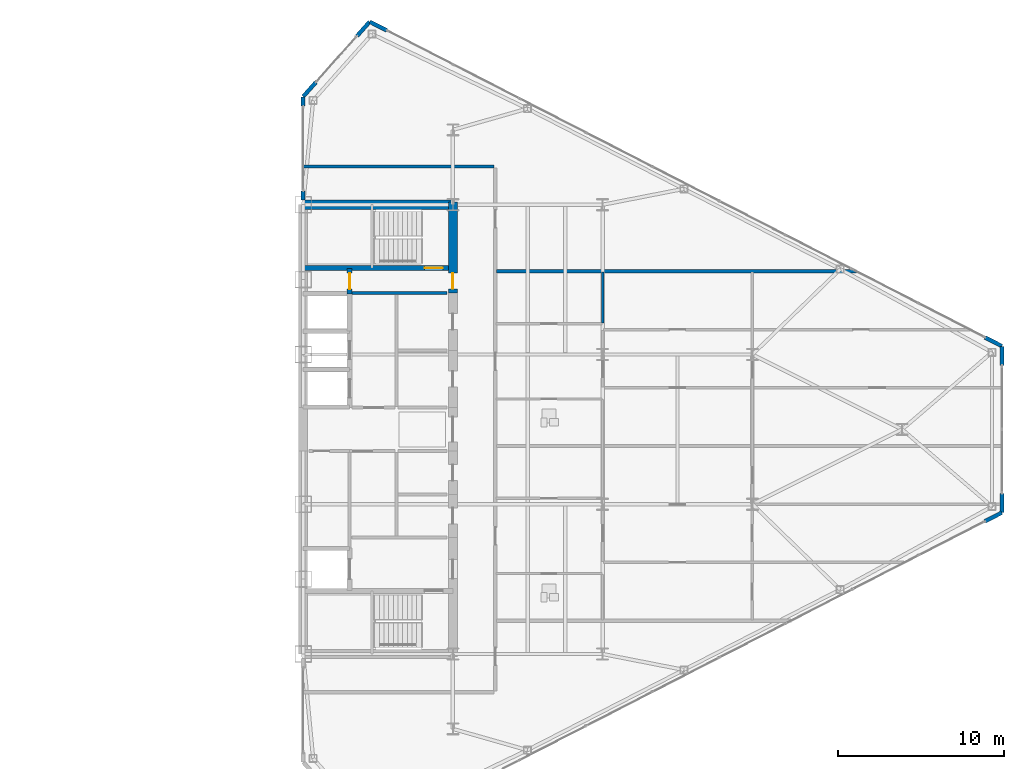
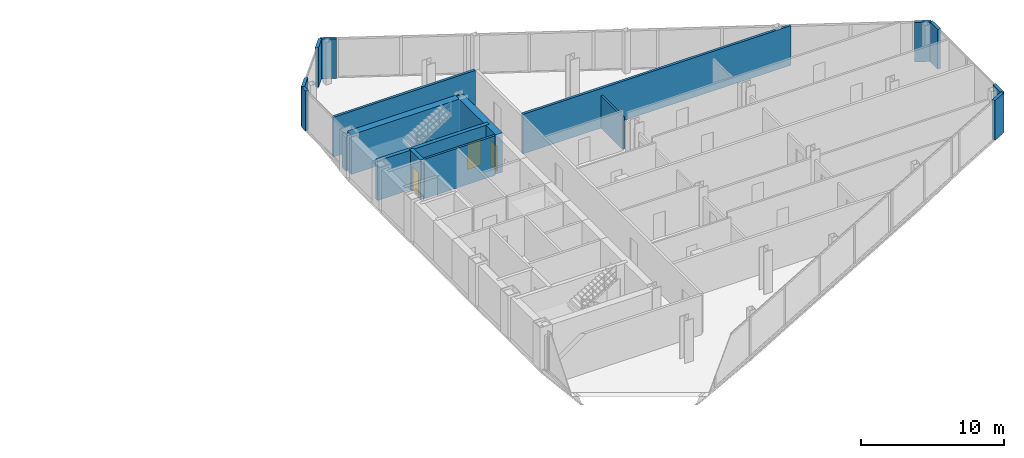
# One storey, part 20 of 23: 17 walls, 3 doors, 3 openings.
"""IFC4 building model written with IfcOpenShell, lengths in metres."""

from ifc_helpers import new_model, si_unit, direction, frame, frame_2d, origin, place, context, subcontext, project, spatial, rectangle, extrude, source, transform, mapped, material, layer, layer_set, type_object, type_shapes, element, fill, save


model = new_model("IFC4")

# Units and contexts
model_context = context("Model", 3, precision=1e-05, world=origin(), true_north=direction((0.0, 1.0)))
body_context = subcontext(model_context, "Body", "Model", "MODEL_VIEW")
ifc_project = project(units=[si_unit("LENGTHUNIT", "METRE"), si_unit("AREAUNIT", "SQUARE_METRE"), si_unit("VOLUMEUNIT", "CUBIC_METRE"), si_unit("PLANEANGLEUNIT", "RADIAN"), si_unit("MASSUNIT", "GRAM", prefix="KILO")], contexts=[model_context])

# Site, building, storey
site_placement = place(None, origin())
site = spatial("IfcSite", under=ifc_project, at=site_placement, CompositionType="ELEMENT")
building_placement = place(site_placement, origin())
building = spatial("IfcBuilding", under=site, at=building_placement, Name="Seokmaru Belvedere", CompositionType="ELEMENT")
storey_placement = place(building_placement, frame((0.0, 0.0, 147.60009765625)))
storey = spatial("IfcBuildingStorey", under=building, at=storey_placement, Name="L39", CompositionType="ELEMENT", Elevation=147.60009765625)

# Walls
ifc_material_1 = material(Name="Fire-Rated Gypsum Shaftwall")
ifc_layer_1 = layer(ifc_material_1, 0.14990234375)
ifc_layer_set_1 = layer_set([ifc_layer_1], Name="Fire-Rated Gypsum Shaftwall")
wall_type_1 = type_object("IfcWallType", Name="Apartment Fire-Acoustic Room Partition 150", PredefinedType="PARTITIONING", material=ifc_layer_set_1)
wall_1_placement = place(storey_placement, frame((45.5, 6.402099609375, 0.0), z_axis=(0.0, 0.0, 1.0), x_axis=(0.0, 1.0, 0.0)))
element("IfcWall", 1, at=wall_1_placement, inside=storey, type_object=wall_type_1, Name="L39 Interior Partition 048", PredefinedType="PARTITIONING", context=body_context, shape_type="SweptSolid", body=[
    extrude(rectangle(XDim=3.0478515625, YDim=0.14990234375, at=frame_2d((1.52392578125, 0.0))), origin(), (0.0, 0.0, 1.0), 2.77978515625),
])
ifc_layer_2 = layer(ifc_material_1, 0.179931640625)
ifc_layer_set_2 = layer_set([ifc_layer_2], Name="Fire-Rated Gypsum Shaftwall")
wall_type_2 = type_object("IfcWallType", Name="Core Service Fire Partition 180", PredefinedType="PARTITIONING", material=ifc_layer_set_2)
wall_2_placement = place(storey_placement, frame((30.449951171875, 8.199951171875, 0.0), z_axis=(0.0, 0.0, 1.0), x_axis=(1.0, 0.0, 0.0)))
element("IfcWall", 2, at=wall_2_placement, inside=storey, type_object=wall_type_2, Name="L39 East Smokeproof Vestibule Partition", PredefinedType="PARTITIONING", context=body_context, shape_type="SweptSolid", body=[
    extrude(rectangle(XDim=5.699951171875, YDim=0.179931640625, at=frame_2d((2.85009765625, 0.0))), origin(), (0.0, 0.0, 1.0), 3.3798828125),
])
ifc_layer_3 = layer(ifc_material_1, 0.199951171875)
ifc_layer_set_3 = layer_set([ifc_layer_3], Name="Fire-Rated Gypsum Shaftwall")
wall_type_3 = type_object("IfcWallType", Name="Inter-Tenancy Fire Compartment Partition 200", PredefinedType="PARTITIONING", material=ifc_layer_set_3)
wall_3_placement = place(storey_placement, frame((39.1298828125, 9.5, 0.0), z_axis=(0.0, 0.0, 1.0), x_axis=(1.0, 0.0, 0.0)))
element("IfcWall", 3, at=wall_3_placement, inside=storey, type_object=wall_type_3, Name="L39 Interior Partition 026", PredefinedType="PARTITIONING", context=body_context, shape_type="SweptSolid", body=[
    extrude(rectangle(XDim=21.612060546875, YDim=0.199951171875, at=frame_2d((10.80615234375, 0.0))), origin(), (0.0, 0.0, 1.0), 3.3798828125),
])
wall_4_placement = place(storey_placement, frame((27.5, 15.800048828125, 0.0), z_axis=(0.0, 0.0, 1.0), x_axis=(1.0, 0.0, 0.0)))
element("IfcWall", 4, at=wall_4_placement, inside=storey, type_object=wall_type_3, Name="L39 Interior Partition 031", PredefinedType="PARTITIONING", context=body_context, shape_type="SweptSolid", body=[
    extrude(rectangle(XDim=11.465087890625, YDim=0.199951171875, at=frame_2d((5.732421875, 0.0))), origin(), (0.0, 0.0, 1.0), 3.3798828125),
])

# Wall, opening, door
ifc_material_2 = material(Name="Concrete C50 (50 MPa)", Category="concrete")
ifc_layer_4 = layer(ifc_material_2, 0.300048828125)
ifc_layer_set_4 = layer_set([ifc_layer_4], Name="Concrete C50 (50 MPa)")
wall_type_4 = type_object("IfcWallType", Name="Internal Core Stair and Hoistway Wall 300", PredefinedType="SHEAR", material=ifc_layer_set_4)
wall_5_placement = place(storey_placement, frame((27.5, 9.699951171875, 0.0), z_axis=(0.0, 0.0, 1.0), x_axis=(1.0, 0.0, 0.0)))
wall_5 = element("IfcWall", 5, at=wall_5_placement, inside=storey, type_object=wall_type_4, Name="L39 East Stair ST-2 Enclosure Wall", PredefinedType="SHEAR", context=body_context, shape_type="SweptSolid", body=[
    extrude(rectangle(XDim=9.0, YDim=0.300048828125, at=frame_2d((4.5, 0.0))), origin(), (0.0, 0.0, 1.0), 3.3798828125),
])
opening_1_placement = place(wall_5_placement, frame((7.300048828125, 0.0, 0.0)))
opening_1 = element("IfcOpeningElement", 6, at=opening_1_placement, cuts=wall_5, Name="Opening D01", PredefinedType="OPENING", context=body_context, shape_type="SweptSolid", body=[
    extrude(rectangle(XDim=1.10009765625, YDim=2.199951171875, at=frame_2d((0.550048828125, 1.10009765625))), frame((0.0, 0.16015625, 0.0), z_axis=(0.0, -1.0, 0.0), x_axis=(1.0, 0.0, 0.0)), (0.0, 0.0, 1.0), 0.320068359375),
])
ifc_material_3 = material(Name="Fire-Rated Steel Leaf", Category="steel")
door_type_1 = type_object("IfcDoorType", Name="Special Escape Stair Smokeproof Fire Door 1100x2200", OperationType="NOTDEFINED", PredefinedType="DOOR", material=ifc_material_3)
shared_shape_1 = source(origin(), body_context, "Body", "SweptSolid", [
    extrude(rectangle(XDim=1.10009765625, YDim=2.199951171875, at=frame_2d((0.550048828125, 1.10009765625))), frame((0.0, 0.02490234375, 0.0), z_axis=(0.0, -1.0, 0.0), x_axis=(1.0, 0.0, 0.0)), (0.0, 0.0, 1.0), 0.050048828125),
])
type_shapes(door_type_1, [shared_shape_1])
door_1_placement = place(opening_1_placement, origin())
door_1 = element("IfcDoor", 7, at=door_1_placement, inside=storey, type_object=door_type_1, Name="L39 East Special Escape Stair ST-2 Door", OperationType="SINGLE_SWING_LEFT", OverallHeight=2.199951171875, OverallWidth=1.10009765625, PredefinedType="DOOR", context=body_context, shape_type="MappedRepresentation", body=[
    mapped(shared_shape_1, transform((0.0, 0.0, 0.0), scale=1.0)),
])
fill(opening_1, door_1)

wall_6_placement = place(storey_placement, frame((30.300048828125, 8.14990234375, 0.0), z_axis=(0.0, 0.0, 1.0), x_axis=(0.0, 1.0, 0.0)))
wall_6 = element("IfcWall", 8, at=wall_6_placement, inside=storey, type_object=wall_type_4, Name="L39 East Electrical Riser Front Wall", PredefinedType="SHEAR", context=body_context, shape_type="SweptSolid", body=[
    extrude(rectangle(XDim=1.530029296875, YDim=0.300048828125, at=frame_2d((0.76513671875, 0.0))), origin(), (0.0, 0.0, 1.0), 3.3798828125),
])
opening_2_placement = place(wall_6_placement, frame((0.284912109375, 0.0, 0.0)))
opening_2 = element("IfcOpeningElement", 9, at=opening_2_placement, cuts=wall_6, Name="Opening D04", PredefinedType="OPENING", context=body_context, shape_type="SweptSolid", body=[
    extrude(rectangle(XDim=0.949951171875, YDim=2.14990234375, at=frame_2d((0.47509765625, 1.074951171875))), frame((0.0, 0.16015625, 0.0), z_axis=(0.0, -1.0, 0.0), x_axis=(1.0, 0.0, 0.0)), (0.0, 0.0, 1.0), 0.320068359375),
])
door_type_2 = type_object("IfcDoorType", Name="Core Service Room Fire Door 950x2150", OperationType="NOTDEFINED", PredefinedType="DOOR", material=ifc_material_3)
shared_shape_2 = source(origin(), body_context, "Body", "SweptSolid", [
    extrude(rectangle(XDim=0.949951171875, YDim=2.14990234375, at=frame_2d((0.47509765625, 1.074951171875))), frame((0.0, 0.02490234375, 0.0), z_axis=(0.0, -1.0, 0.0), x_axis=(1.0, 0.0, 0.0)), (0.0, 0.0, 1.0), 0.050048828125),
])
type_shapes(door_type_2, [shared_shape_2])
door_2_placement = place(opening_2_placement, origin())
door_2 = element("IfcDoor", 10, at=door_2_placement, inside=storey, type_object=door_type_2, Name="L39 East Electrical Riser Access Door", OperationType="SINGLE_SWING_RIGHT", OverallHeight=2.14990234375, OverallWidth=0.949951171875, PredefinedType="DOOR", context=body_context, shape_type="MappedRepresentation", body=[
    mapped(shared_shape_2, transform((0.0, 0.0, 0.0), scale=1.0)),
])
fill(opening_2, door_2)

# Wall
ifc_layer_5 = layer(ifc_material_2, 0.550048828125)
ifc_layer_set_5 = layer_set([ifc_layer_5], Name="Concrete C50 (50 MPa)")
wall_type_5 = type_object("IfcWallType", Name="Mid-High Reinforced Concrete Core Wall 550", PredefinedType="SHEAR", material=ifc_layer_set_5)
wall_7_placement = place(storey_placement, frame((27.5, 13.5, 0.0), z_axis=(0.0, 0.0, 1.0), x_axis=(1.0, 0.0, 0.0)))
element("IfcWall", 11, at=wall_7_placement, inside=storey, type_object=wall_type_5, Name="L39 East North Core Wall", PredefinedType="SHEAR", context=body_context, shape_type="SweptSolid", body=[
    extrude(rectangle(XDim=9.0, YDim=0.550048828125, at=frame_2d((4.5, 0.0))), origin(), (0.0, 0.0, 1.0), 3.3798828125),
])

# Wall, opening, door
wall_8_placement = place(storey_placement, frame((36.5, 8.199951171875, 0.0), z_axis=(0.0, 0.0, 1.0), x_axis=(0.0, 1.0, 0.0)))
wall_8 = element("IfcWall", 12, at=wall_8_placement, inside=storey, type_object=wall_type_5, Name="L39 East West Core Wall VST", PredefinedType="SHEAR", context=body_context, shape_type="SweptSolid", body=[
    extrude(rectangle(XDim=5.449951171875, YDim=0.550048828125, at=frame_2d((2.72509765625, 0.0))), origin(), (0.0, 0.0, 1.0), 3.3798828125),
])
opening_3_placement = place(wall_8_placement, frame((0.2451171875, 0.0, 0.0)))
opening_3 = element("IfcOpeningElement", 13, at=opening_3_placement, cuts=wall_8, Name="Opening D04", PredefinedType="OPENING", context=body_context, shape_type="SweptSolid", body=[
    extrude(rectangle(XDim=0.949951171875, YDim=2.14990234375, at=frame_2d((0.47509765625, 1.074951171875))), frame((0.0, 0.28515625, 0.0), z_axis=(0.0, -1.0, 0.0), x_axis=(1.0, 0.0, 0.0)), (0.0, 0.0, 1.0), 0.570068359375),
])
door_3_placement = place(opening_3_placement, origin())
door_3 = element("IfcDoor", 14, at=door_3_placement, inside=storey, type_object=door_type_2, Name="L39 East Smokeproof Vestibule Door", OperationType="SINGLE_SWING_LEFT", OverallHeight=2.14990234375, OverallWidth=0.949951171875, PredefinedType="DOOR", context=body_context, shape_type="MappedRepresentation", body=[
    mapped(shared_shape_2, transform((0.0, 0.0, 0.0), scale=1.0)),
])
fill(opening_3, door_3)

# Walls
ifc_material_4 = material(Name="Anodised Bronze Aluminium", Category="aluminium")
ifc_layer_6 = layer(ifc_material_4, 0.239990234375)
ifc_layer_set_6 = layer_set([ifc_layer_6], Name="Anodised Bronze Aluminium")
wall_type_6 = type_object("IfcWallType", Name="Tower Corner Spandrel Closure Wall 240", PredefinedType="SOLIDWALL", material=ifc_layer_set_6)
wall_9_placement = place(storey_placement, frame((68.476806640625, -5.52490234375, 0.0), z_axis=(0.0, 0.0, 1.0), x_axis=(0.889797395748, 0.456355776255, 0.0)))
element("IfcWall", 15, at=wall_9_placement, inside=storey, type_object=wall_type_6, Name="L39 E Corner Closure Pier 1B", PredefinedType="SOLIDWALL", context=body_context, shape_type="SweptSolid", body=[
    extrude(rectangle(XDim=1.14013671875, YDim=0.239990234375, at=frame_2d((0.570068359375, 0.0))), origin(), (0.0, 0.0, 1.0), 3.3798828125),
])
for number, where, z_axis, x_axis, name in (
    (16, (69.5, -4.989990234375, 0.0), (0.0, 0.0, 1.0), (0.0, 1.0, 0.0), "L39 E Corner Closure Pier 2A"),
    (17, (69.5, 3.85009765625, 0.0), (0.0, 0.0, 1.0), (0.0, 1.0, 0.0), "L39 E Corner Closure Pier 2B"),
):
    element("IfcWall", number, at=place(storey_placement, frame(where, z_axis=z_axis, x_axis=x_axis)), inside=storey, type_object=wall_type_6, Name=name, PredefinedType="SOLIDWALL", context=body_context, shape_type="SweptSolid", body=[
        extrude(rectangle(XDim=1.139892578125, YDim=0.239990234375, at=frame_2d((0.56982421875, 0.0))), origin(), (0.0, 0.0, 1.0), 3.3798828125),
    ])
for number, where, z_axis, x_axis, name in (
    (18, (69.4912109375, 5.004638671875, 0.0), (0.0, 0.0, 1.0), (-0.889797395748, 0.456355776255, 0.0), "L39 E Corner Closure Pier 3A"),
    (19, (32.523193359375, 23.97509765625, 0.0), (0.0, 0.0, 1.0), (-0.889797395748, 0.456355776255, 0.0), "L39 E Corner Closure Pier 3B"),
):
    element("IfcWall", number, at=place(storey_placement, frame(where, z_axis=z_axis, x_axis=x_axis)), inside=storey, type_object=wall_type_6, Name=name, PredefinedType="SOLIDWALL", context=body_context, shape_type="SweptSolid", body=[
        extrude(rectangle(XDim=1.14013671875, YDim=0.239990234375, at=frame_2d((0.570068359375, 0.0))), origin(), (0.0, 0.0, 1.0), 3.3798828125),
    ])
for number, where, z_axis, x_axis, name in (
    (20, (31.493408203125, 24.492431640625, 0.0), (0.0, 0.0, 1.0), (-0.664337252513, -0.747432950119, 0.0), "L39 E Corner Closure Pier 4A"),
    (21, (28.263916015625, 20.859619140625, 0.0), (0.0, 0.0, 1.0), (-0.664337252513, -0.747432950119, 0.0), "L39 E Corner Closure Pier 4B"),
):
    element("IfcWall", number, at=place(storey_placement, frame(where, z_axis=z_axis, x_axis=x_axis)), inside=storey, type_object=wall_type_6, Name=name, PredefinedType="SOLIDWALL", context=body_context, shape_type="SweptSolid", body=[
        extrude(rectangle(XDim=1.139892578125, YDim=0.239990234375, at=frame_2d((0.56982421875, 0.0))), origin(), (0.0, 0.0, 1.0), 3.3798828125),
    ])
wall_10_placement = place(storey_placement, frame((27.5, 13.780029296875, 0.0), z_axis=(0.0, 0.0, 1.0), x_axis=(0.0, 1.0, 0.0)))
element("IfcWall", 22, at=wall_10_placement, inside=storey, type_object=wall_type_6, Name="L39 E Spine Closure Pier 2A", PredefinedType="SOLIDWALL", context=body_context, shape_type="SweptSolid", body=[
    extrude(rectangle(XDim=0.550048828125, YDim=0.239990234375, at=frame_2d((0.27490234375, 0.0))), origin(), (0.0, 0.0, 1.0), 2.8798828125),
])
wall_11_placement = place(storey_placement, frame((27.5, 19.429931640625, 0.0), z_axis=(0.0, 0.0, 1.0), x_axis=(0.0, 1.0, 0.0)))
element("IfcWall", 23, at=wall_11_placement, inside=storey, type_object=wall_type_6, Name="L39 E Spine Closure Pier 2B", PredefinedType="SOLIDWALL", context=body_context, shape_type="SweptSolid", body=[
    extrude(rectangle(XDim=0.550048828125, YDim=0.239990234375, at=frame_2d((0.27490234375, 0.0))), origin(), (0.0, 0.0, 1.0), 3.3798828125),
])

save(model, "model.ifc")
